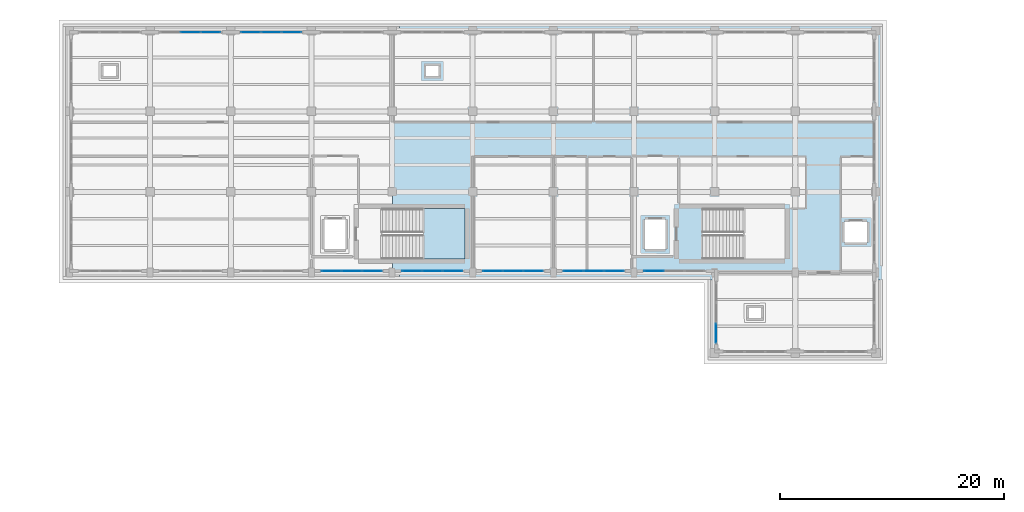
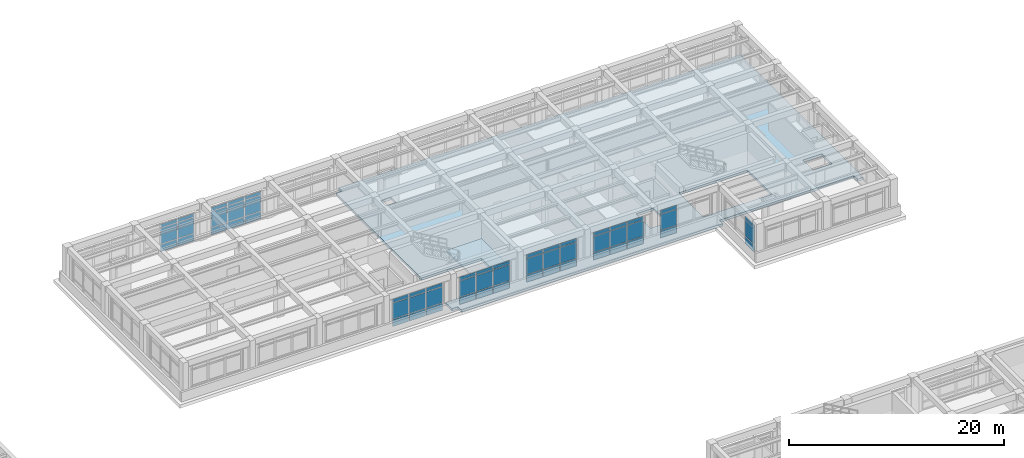
# One storey, part 43 of 67: 57 plates, 2 slabs, 9 elements without a shape of their own.
"""IFC4 building model written with IfcOpenShell, lengths in metres."""

from ifc_helpers import new_model, si_unit, direction, frame, origin, origin_2d, place, context, subcontext, project, spatial, polyline, rectangle, outline, extrude, material, layer, layer_set, type_object, element, aggregate, save


model = new_model("IFC4")

# Units and contexts
model_context = context("Model", 3, precision=1e-05, world=origin(), true_north=direction((0.0, 1.0)))
body_context = subcontext(model_context, "Body", "Model", "MODEL_VIEW")
ifc_project = project(units=[si_unit("LENGTHUNIT", "METRE"), si_unit("AREAUNIT", "SQUARE_METRE"), si_unit("VOLUMEUNIT", "CUBIC_METRE"), si_unit("PLANEANGLEUNIT", "RADIAN"), si_unit("MASSUNIT", "GRAM", prefix="KILO")], contexts=[model_context])

# Site, building, storey
site_placement = place(None, origin())
site = spatial("IfcSite", under=ifc_project, at=site_placement, CompositionType="ELEMENT")
building_placement = place(site_placement, origin())
building = spatial("IfcBuilding", under=site, at=building_placement, Name="Solenvale Faculty of Natural Sciences", CompositionType="ELEMENT")
storey_placement = place(building_placement, frame((0.0, 0.0, 13.5)))
storey = spatial("IfcBuildingStorey", under=building, at=storey_placement, Name="L03", CompositionType="ELEMENT", Elevation=13.5)

# Curtain wall, plates
ifc_material_1 = material(Name="Anodised bronze aluminium", Category="aluminium")
ifc_layer_1 = layer(ifc_material_1, 0.179931640625)
ifc_layer_set_1 = layer_set([ifc_layer_1], Name="Anodised bronze aluminium")
curtain_wall_type = type_object("IfcCurtainWallType", Name="CW-TWR-MOD", PredefinedType="USERDEFINED", material=ifc_layer_set_1)
curtain_wall_1_placement = place(storey_placement, origin())
curtain_wall_1 = element("IfcCurtainWall", 1, at=curtain_wall_1_placement, inside=storey, type_object=curtain_wall_type, Name="L03 Curtain Wall CW-L03-P3-E4-B8", ObjectType="UNITISED CURTAIN WALL", PredefinedType="USERDEFINED")
ifc_material_2 = material(Name="North-light skylight glass", Category="glass")
ifc_layer_2 = layer(ifc_material_2, 0.028076171875)
ifc_layer_set_2 = layer_set([ifc_layer_2], Name="North-light skylight glass")
plate_type_1 = type_object("IfcPlateType", Name="CWP-PNL-28", PredefinedType="CURTAIN_PANEL", material=ifc_layer_set_2)
plate_1_placement = place(storey_placement, frame((99.0146484375, 115.0576171875, 0.074951171875), z_axis=(0.0, 0.0, 1.0), x_axis=(-1.0, 0.0, 0.0)))
plate_1 = element("IfcPlate", 2, at=plate_1_placement, type_object=plate_type_1, Name="CW-04 panel 1.1", PredefinedType="CURTAIN_PANEL", context=body_context, shape_type="SweptSolid", body=[
    extrude(rectangle(XDim=1.720947265625, YDim=0.028076171875, at=origin_2d()), origin(), (0.0, 0.0, 1.0), 0.78759765625),
])
plate_2_placement = place(storey_placement, frame((99.0146484375, 115.0576171875, 0.9375), z_axis=(0.0, 0.0, 1.0), x_axis=(-1.0, 0.0, 0.0)))
plate_2 = element("IfcPlate", 3, at=plate_2_placement, type_object=plate_type_1, Name="CW-04 panel 1.2", PredefinedType="CURTAIN_PANEL", context=body_context, shape_type="SweptSolid", body=[
    extrude(rectangle(XDim=1.720947265625, YDim=0.028076171875, at=origin_2d()), origin(), (0.0, 0.0, 1.0), 1.784912109375),
])
plate_3_placement = place(storey_placement, frame((99.0146484375, 115.0576171875, 2.79736328125), z_axis=(0.0, 0.0, 1.0), x_axis=(-1.0, 0.0, 0.0)))
plate_3 = element("IfcPlate", 4, at=plate_3_placement, type_object=plate_type_1, Name="CW-04 panel 1.3", PredefinedType="CURTAIN_PANEL", context=body_context, shape_type="SweptSolid", body=[
    extrude(rectangle(XDim=1.720947265625, YDim=0.028076171875, at=origin_2d()), origin(), (0.0, 0.0, 1.0), 0.387451171875),
])
plate_4_placement = place(storey_placement, frame((97.199951171875, 115.0576171875, 0.074951171875), z_axis=(0.0, 0.0, 1.0), x_axis=(-1.0, 0.0, 0.0)))
plate_4 = element("IfcPlate", 5, at=plate_4_placement, type_object=plate_type_1, Name="CW-04 panel 2.1", PredefinedType="CURTAIN_PANEL", context=body_context, shape_type="SweptSolid", body=[
    extrude(rectangle(XDim=1.75830078125, YDim=0.028076171875, at=origin_2d()), origin(), (0.0, 0.0, 1.0), 0.78759765625),
])
plate_5_placement = place(storey_placement, frame((97.199951171875, 115.0576171875, 0.9375), z_axis=(0.0, 0.0, 1.0), x_axis=(-1.0, 0.0, 0.0)))
plate_5 = element("IfcPlate", 6, at=plate_5_placement, type_object=plate_type_1, Name="CW-04 panel 2.2", PredefinedType="CURTAIN_PANEL", context=body_context, shape_type="SweptSolid", body=[
    extrude(rectangle(XDim=1.75830078125, YDim=0.028076171875, at=origin_2d()), origin(), (0.0, 0.0, 1.0), 1.784912109375),
])
plate_6_placement = place(storey_placement, frame((97.199951171875, 115.0576171875, 2.79736328125), z_axis=(0.0, 0.0, 1.0), x_axis=(-1.0, 0.0, 0.0)))
plate_6 = element("IfcPlate", 7, at=plate_6_placement, type_object=plate_type_1, Name="CW-04 panel 2.3", PredefinedType="CURTAIN_PANEL", context=body_context, shape_type="SweptSolid", body=[
    extrude(rectangle(XDim=1.75830078125, YDim=0.028076171875, at=origin_2d()), origin(), (0.0, 0.0, 1.0), 0.387451171875),
])
plate_7_placement = place(storey_placement, frame((95.385498046875, 115.0576171875, 0.074951171875), z_axis=(0.0, 0.0, 1.0), x_axis=(-1.0, 0.0, 0.0)))
plate_7 = element("IfcPlate", 8, at=plate_7_placement, type_object=plate_type_1, Name="CW-04 panel 3.1", PredefinedType="CURTAIN_PANEL", context=body_context, shape_type="SweptSolid", body=[
    extrude(rectangle(XDim=1.720947265625, YDim=0.028076171875, at=origin_2d()), origin(), (0.0, 0.0, 1.0), 0.78759765625),
])
plate_8_placement = place(storey_placement, frame((95.385498046875, 115.0576171875, 0.9375), z_axis=(0.0, 0.0, 1.0), x_axis=(-1.0, 0.0, 0.0)))
plate_8 = element("IfcPlate", 9, at=plate_8_placement, type_object=plate_type_1, Name="CW-04 panel 3.2", PredefinedType="CURTAIN_PANEL", context=body_context, shape_type="SweptSolid", body=[
    extrude(rectangle(XDim=1.720947265625, YDim=0.028076171875, at=origin_2d()), origin(), (0.0, 0.0, 1.0), 1.784912109375),
])
plate_9_placement = place(storey_placement, frame((95.385498046875, 115.0576171875, 2.79736328125), z_axis=(0.0, 0.0, 1.0), x_axis=(-1.0, 0.0, 0.0)))
plate_9 = element("IfcPlate", 10, at=plate_9_placement, type_object=plate_type_1, Name="CW-04 panel 3.3", PredefinedType="CURTAIN_PANEL", context=body_context, shape_type="SweptSolid", body=[
    extrude(rectangle(XDim=1.720947265625, YDim=0.028076171875, at=origin_2d()), origin(), (0.0, 0.0, 1.0), 0.387451171875),
])
aggregate(curtain_wall_1, [plate_1, plate_2, plate_3, plate_4, plate_5, plate_6, plate_7, plate_8, plate_9])

curtain_wall_2_placement = place(storey_placement, origin())
curtain_wall_2 = element("IfcCurtainWall", 11, at=curtain_wall_2_placement, inside=storey, type_object=curtain_wall_type, Name="L03 Curtain Wall CW-L03-P3-E6-B6", ObjectType="UNITISED CURTAIN WALL", PredefinedType="USERDEFINED")
plate_10_placement = place(storey_placement, frame((116.9853515625, 93.742431640625, 0.074951171875), z_axis=(0.0, 0.0, 1.0), x_axis=(1.0, 0.0, 0.0)))
plate_10 = element("IfcPlate", 12, at=plate_10_placement, type_object=plate_type_1, Name="CW-04 panel 1.1", PredefinedType="CURTAIN_PANEL", context=body_context, shape_type="SweptSolid", body=[
    extrude(rectangle(XDim=1.720947265625, YDim=0.028076171875, at=origin_2d()), origin(), (0.0, 0.0, 1.0), 0.78759765625),
])
plate_11_placement = place(storey_placement, frame((116.9853515625, 93.742431640625, 0.9375), z_axis=(0.0, 0.0, 1.0), x_axis=(1.0, 0.0, 0.0)))
plate_11 = element("IfcPlate", 13, at=plate_11_placement, type_object=plate_type_1, Name="CW-04 panel 1.2", PredefinedType="CURTAIN_PANEL", context=body_context, shape_type="SweptSolid", body=[
    extrude(rectangle(XDim=1.720947265625, YDim=0.028076171875, at=origin_2d()), origin(), (0.0, 0.0, 1.0), 1.784912109375),
])
plate_12_placement = place(storey_placement, frame((116.9853515625, 93.742431640625, 2.79736328125), z_axis=(0.0, 0.0, 1.0), x_axis=(1.0, 0.0, 0.0)))
plate_12 = element("IfcPlate", 14, at=plate_12_placement, type_object=plate_type_1, Name="CW-04 panel 1.3", PredefinedType="CURTAIN_PANEL", context=body_context, shape_type="SweptSolid", body=[
    extrude(rectangle(XDim=1.720947265625, YDim=0.028076171875, at=origin_2d()), origin(), (0.0, 0.0, 1.0), 0.387451171875),
])
plate_13_placement = place(storey_placement, frame((118.800048828125, 93.742431640625, 0.074951171875), z_axis=(0.0, 0.0, 1.0), x_axis=(1.0, 0.0, 0.0)))
plate_13 = element("IfcPlate", 15, at=plate_13_placement, type_object=plate_type_1, Name="CW-04 panel 2.1", PredefinedType="CURTAIN_PANEL", context=body_context, shape_type="SweptSolid", body=[
    extrude(rectangle(XDim=1.75830078125, YDim=0.028076171875, at=origin_2d()), origin(), (0.0, 0.0, 1.0), 0.78759765625),
])
plate_14_placement = place(storey_placement, frame((118.800048828125, 93.742431640625, 0.9375), z_axis=(0.0, 0.0, 1.0), x_axis=(1.0, 0.0, 0.0)))
plate_14 = element("IfcPlate", 16, at=plate_14_placement, type_object=plate_type_1, Name="CW-04 panel 2.2", PredefinedType="CURTAIN_PANEL", context=body_context, shape_type="SweptSolid", body=[
    extrude(rectangle(XDim=1.75830078125, YDim=0.028076171875, at=origin_2d()), origin(), (0.0, 0.0, 1.0), 1.784912109375),
])
plate_15_placement = place(storey_placement, frame((118.800048828125, 93.742431640625, 2.79736328125), z_axis=(0.0, 0.0, 1.0), x_axis=(1.0, 0.0, 0.0)))
plate_15 = element("IfcPlate", 17, at=plate_15_placement, type_object=plate_type_1, Name="CW-04 panel 2.3", PredefinedType="CURTAIN_PANEL", context=body_context, shape_type="SweptSolid", body=[
    extrude(rectangle(XDim=1.75830078125, YDim=0.028076171875, at=origin_2d()), origin(), (0.0, 0.0, 1.0), 0.387451171875),
])
plate_16_placement = place(storey_placement, frame((120.614501953125, 93.742431640625, 0.074951171875), z_axis=(0.0, 0.0, 1.0), x_axis=(1.0, 0.0, 0.0)))
plate_16 = element("IfcPlate", 18, at=plate_16_placement, type_object=plate_type_1, Name="CW-04 panel 3.1", PredefinedType="CURTAIN_PANEL", context=body_context, shape_type="SweptSolid", body=[
    extrude(rectangle(XDim=1.720947265625, YDim=0.028076171875, at=origin_2d()), origin(), (0.0, 0.0, 1.0), 0.78759765625),
])
plate_17_placement = place(storey_placement, frame((120.614501953125, 93.742431640625, 0.9375), z_axis=(0.0, 0.0, 1.0), x_axis=(1.0, 0.0, 0.0)))
plate_17 = element("IfcPlate", 19, at=plate_17_placement, type_object=plate_type_1, Name="CW-04 panel 3.2", PredefinedType="CURTAIN_PANEL", context=body_context, shape_type="SweptSolid", body=[
    extrude(rectangle(XDim=1.720947265625, YDim=0.028076171875, at=origin_2d()), origin(), (0.0, 0.0, 1.0), 1.784912109375),
])
plate_18_placement = place(storey_placement, frame((120.614501953125, 93.742431640625, 2.79736328125), z_axis=(0.0, 0.0, 1.0), x_axis=(1.0, 0.0, 0.0)))
plate_18 = element("IfcPlate", 20, at=plate_18_placement, type_object=plate_type_1, Name="CW-04 panel 3.3", PredefinedType="CURTAIN_PANEL", context=body_context, shape_type="SweptSolid", body=[
    extrude(rectangle(XDim=1.720947265625, YDim=0.028076171875, at=origin_2d()), origin(), (0.0, 0.0, 1.0), 0.387451171875),
])
aggregate(curtain_wall_2, [plate_10, plate_11, plate_12, plate_13, plate_14, plate_15, plate_16, plate_17, plate_18])

curtain_wall_3_placement = place(storey_placement, origin())
curtain_wall_3 = element("IfcCurtainWall", 21, at=curtain_wall_3_placement, inside=storey, type_object=curtain_wall_type, Name="L03 Curtain Wall CW-L03-P3-E4-B9", ObjectType="UNITISED CURTAIN WALL", PredefinedType="USERDEFINED")
ifc_material_3 = material(Name="Triple low-E insulated glass", Category="glass")
ifc_layer_3 = layer(ifc_material_3, 0.031982421875)
ifc_layer_set_3 = layer_set([ifc_layer_3], Name="Triple low-E insulated glass")
plate_type_2 = type_object("IfcPlateType", Name="CWP-PNL-32", PredefinedType="CURTAIN_PANEL", material=ifc_layer_set_3)
plate_19_placement = place(storey_placement, frame((91.814697265625, 115.0576171875, 0.074951171875), z_axis=(0.0, 0.0, 1.0), x_axis=(-1.0, 0.0, 0.0)))
plate_19 = element("IfcPlate", 22, at=plate_19_placement, type_object=plate_type_2, Name="CW-04 panel 1.1", PredefinedType="CURTAIN_PANEL", context=body_context, shape_type="SweptSolid", body=[
    extrude(rectangle(XDim=1.720947265625, YDim=0.031982421875, at=origin_2d()), origin(), (0.0, 0.0, 1.0), 0.78759765625),
])
plate_20_placement = place(storey_placement, frame((91.814697265625, 115.0576171875, 0.9375), z_axis=(0.0, 0.0, 1.0), x_axis=(-1.0, 0.0, 0.0)))
plate_20 = element("IfcPlate", 23, at=plate_20_placement, type_object=plate_type_2, Name="CW-04 panel 1.2", PredefinedType="CURTAIN_PANEL", context=body_context, shape_type="SweptSolid", body=[
    extrude(rectangle(XDim=1.720947265625, YDim=0.031982421875, at=origin_2d()), origin(), (0.0, 0.0, 1.0), 1.784912109375),
])
plate_21_placement = place(storey_placement, frame((91.814697265625, 115.0576171875, 2.79736328125), z_axis=(0.0, 0.0, 1.0), x_axis=(-1.0, 0.0, 0.0)))
plate_21 = element("IfcPlate", 24, at=plate_21_placement, type_object=plate_type_2, Name="CW-04 panel 1.3", PredefinedType="CURTAIN_PANEL", context=body_context, shape_type="SweptSolid", body=[
    extrude(rectangle(XDim=1.720947265625, YDim=0.031982421875, at=origin_2d()), origin(), (0.0, 0.0, 1.0), 0.387451171875),
])
plate_22_placement = place(storey_placement, frame((90.0, 115.0576171875, 0.074951171875), z_axis=(0.0, 0.0, 1.0), x_axis=(-1.0, 0.0, 0.0)))
plate_22 = element("IfcPlate", 25, at=plate_22_placement, type_object=plate_type_2, Name="CW-04 panel 2.1", PredefinedType="CURTAIN_PANEL", context=body_context, shape_type="SweptSolid", body=[
    extrude(rectangle(XDim=1.75830078125, YDim=0.031982421875, at=origin_2d()), origin(), (0.0, 0.0, 1.0), 0.78759765625),
])
plate_23_placement = place(storey_placement, frame((90.0, 115.0576171875, 0.9375), z_axis=(0.0, 0.0, 1.0), x_axis=(-1.0, 0.0, 0.0)))
plate_23 = element("IfcPlate", 26, at=plate_23_placement, type_object=plate_type_2, Name="CW-04 panel 2.2", PredefinedType="CURTAIN_PANEL", context=body_context, shape_type="SweptSolid", body=[
    extrude(rectangle(XDim=1.75830078125, YDim=0.031982421875, at=origin_2d()), origin(), (0.0, 0.0, 1.0), 1.784912109375),
])
plate_24_placement = place(storey_placement, frame((90.0, 115.0576171875, 2.79736328125), z_axis=(0.0, 0.0, 1.0), x_axis=(-1.0, 0.0, 0.0)))
plate_24 = element("IfcPlate", 27, at=plate_24_placement, type_object=plate_type_2, Name="CW-04 panel 2.3", PredefinedType="CURTAIN_PANEL", context=body_context, shape_type="SweptSolid", body=[
    extrude(rectangle(XDim=1.75830078125, YDim=0.031982421875, at=origin_2d()), origin(), (0.0, 0.0, 1.0), 0.387451171875),
])
aggregate(curtain_wall_3, [plate_19, plate_20, plate_21, plate_22, plate_23, plate_24])

curtain_wall_4_placement = place(storey_placement, origin())
curtain_wall_4 = element("IfcCurtainWall", 28, at=curtain_wall_4_placement, inside=storey, type_object=curtain_wall_type, Name="L03 Curtain Wall CW-L03-P3-E6-B7", ObjectType="UNITISED CURTAIN WALL", PredefinedType="USERDEFINED")
plate_25_placement = place(storey_placement, frame((124.185302734375, 93.742431640625, 0.074951171875), z_axis=(0.0, 0.0, 1.0), x_axis=(1.0, 0.0, 0.0)))
plate_25 = element("IfcPlate", 29, at=plate_25_placement, type_object=plate_type_2, Name="CW-04 panel 1.1", PredefinedType="CURTAIN_PANEL", context=body_context, shape_type="SweptSolid", body=[
    extrude(rectangle(XDim=1.720947265625, YDim=0.031982421875, at=origin_2d()), origin(), (0.0, 0.0, 1.0), 0.78759765625),
])
plate_26_placement = place(storey_placement, frame((124.185302734375, 93.742431640625, 0.9375), z_axis=(0.0, 0.0, 1.0), x_axis=(1.0, 0.0, 0.0)))
plate_26 = element("IfcPlate", 30, at=plate_26_placement, type_object=plate_type_2, Name="CW-04 panel 1.2", PredefinedType="CURTAIN_PANEL", context=body_context, shape_type="SweptSolid", body=[
    extrude(rectangle(XDim=1.720947265625, YDim=0.031982421875, at=origin_2d()), origin(), (0.0, 0.0, 1.0), 1.784912109375),
])
plate_27_placement = place(storey_placement, frame((124.185302734375, 93.742431640625, 2.79736328125), z_axis=(0.0, 0.0, 1.0), x_axis=(1.0, 0.0, 0.0)))
plate_27 = element("IfcPlate", 31, at=plate_27_placement, type_object=plate_type_2, Name="CW-04 panel 1.3", PredefinedType="CURTAIN_PANEL", context=body_context, shape_type="SweptSolid", body=[
    extrude(rectangle(XDim=1.720947265625, YDim=0.031982421875, at=origin_2d()), origin(), (0.0, 0.0, 1.0), 0.387451171875),
])
plate_28_placement = place(storey_placement, frame((126.0, 93.742431640625, 0.074951171875), z_axis=(0.0, 0.0, 1.0), x_axis=(1.0, 0.0, 0.0)))
plate_28 = element("IfcPlate", 32, at=plate_28_placement, type_object=plate_type_2, Name="CW-04 panel 2.1", PredefinedType="CURTAIN_PANEL", context=body_context, shape_type="SweptSolid", body=[
    extrude(rectangle(XDim=1.75830078125, YDim=0.031982421875, at=origin_2d()), origin(), (0.0, 0.0, 1.0), 0.78759765625),
])
plate_29_placement = place(storey_placement, frame((126.0, 93.742431640625, 0.9375), z_axis=(0.0, 0.0, 1.0), x_axis=(1.0, 0.0, 0.0)))
plate_29 = element("IfcPlate", 33, at=plate_29_placement, type_object=plate_type_2, Name="CW-04 panel 2.2", PredefinedType="CURTAIN_PANEL", context=body_context, shape_type="SweptSolid", body=[
    extrude(rectangle(XDim=1.75830078125, YDim=0.031982421875, at=origin_2d()), origin(), (0.0, 0.0, 1.0), 1.784912109375),
])
plate_30_placement = place(storey_placement, frame((126.0, 93.742431640625, 2.79736328125), z_axis=(0.0, 0.0, 1.0), x_axis=(1.0, 0.0, 0.0)))
plate_30 = element("IfcPlate", 34, at=plate_30_placement, type_object=plate_type_2, Name="CW-04 panel 2.3", PredefinedType="CURTAIN_PANEL", context=body_context, shape_type="SweptSolid", body=[
    extrude(rectangle(XDim=1.75830078125, YDim=0.031982421875, at=origin_2d()), origin(), (0.0, 0.0, 1.0), 0.387451171875),
])
plate_31_placement = place(storey_placement, frame((127.814697265625, 93.742431640625, 0.074951171875), z_axis=(0.0, 0.0, 1.0), x_axis=(1.0, 0.0, 0.0)))
plate_31 = element("IfcPlate", 35, at=plate_31_placement, type_object=plate_type_2, Name="CW-04 panel 3.1", PredefinedType="CURTAIN_PANEL", context=body_context, shape_type="SweptSolid", body=[
    extrude(rectangle(XDim=1.720947265625, YDim=0.031982421875, at=origin_2d()), origin(), (0.0, 0.0, 1.0), 0.78759765625),
])
plate_32_placement = place(storey_placement, frame((127.814697265625, 93.742431640625, 0.9375), z_axis=(0.0, 0.0, 1.0), x_axis=(1.0, 0.0, 0.0)))
plate_32 = element("IfcPlate", 36, at=plate_32_placement, type_object=plate_type_2, Name="CW-04 panel 3.2", PredefinedType="CURTAIN_PANEL", context=body_context, shape_type="SweptSolid", body=[
    extrude(rectangle(XDim=1.720947265625, YDim=0.031982421875, at=origin_2d()), origin(), (0.0, 0.0, 1.0), 1.784912109375),
])
plate_33_placement = place(storey_placement, frame((127.814697265625, 93.742431640625, 2.79736328125), z_axis=(0.0, 0.0, 1.0), x_axis=(1.0, 0.0, 0.0)))
plate_33 = element("IfcPlate", 37, at=plate_33_placement, type_object=plate_type_2, Name="CW-04 panel 3.3", PredefinedType="CURTAIN_PANEL", context=body_context, shape_type="SweptSolid", body=[
    extrude(rectangle(XDim=1.720947265625, YDim=0.031982421875, at=origin_2d()), origin(), (0.0, 0.0, 1.0), 0.387451171875),
])
aggregate(curtain_wall_4, [plate_25, plate_26, plate_27, plate_28, plate_29, plate_30, plate_31, plate_32, plate_33])

curtain_wall_5_placement = place(storey_placement, origin())
curtain_wall_5 = element("IfcCurtainWall", 38, at=curtain_wall_5_placement, inside=storey, type_object=curtain_wall_type, Name="L03 Curtain Wall CW-L03-P3-E6-B8", ObjectType="UNITISED CURTAIN WALL", PredefinedType="USERDEFINED")
ifc_layer_4 = layer(ifc_material_3, 0.035888671875)
ifc_layer_set_4 = layer_set([ifc_layer_4], Name="Triple low-E insulated glass")
plate_type_3 = type_object("IfcPlateType", Name="CWP-PNL-36", PredefinedType="CURTAIN_PANEL", material=ifc_layer_set_4)
plate_34_placement = place(storey_placement, frame((131.385498046875, 93.742431640625, 0.074951171875), z_axis=(0.0, 0.0, 1.0), x_axis=(1.0, 0.0, 0.0)))
plate_34 = element("IfcPlate", 39, at=plate_34_placement, type_object=plate_type_3, Name="CW-04 panel 1.1", PredefinedType="CURTAIN_PANEL", context=body_context, shape_type="SweptSolid", body=[
    extrude(rectangle(XDim=1.720947265625, YDim=0.035888671875, at=origin_2d()), origin(), (0.0, 0.0, 1.0), 0.78759765625),
])
plate_35_placement = place(storey_placement, frame((131.385498046875, 93.742431640625, 0.9375), z_axis=(0.0, 0.0, 1.0), x_axis=(1.0, 0.0, 0.0)))
plate_35 = element("IfcPlate", 40, at=plate_35_placement, type_object=plate_type_3, Name="CW-04 panel 1.2", PredefinedType="CURTAIN_PANEL", context=body_context, shape_type="SweptSolid", body=[
    extrude(rectangle(XDim=1.720947265625, YDim=0.035888671875, at=origin_2d()), origin(), (0.0, 0.0, 1.0), 1.784912109375),
])
plate_36_placement = place(storey_placement, frame((131.385498046875, 93.742431640625, 2.79736328125), z_axis=(0.0, 0.0, 1.0), x_axis=(1.0, 0.0, 0.0)))
plate_36 = element("IfcPlate", 41, at=plate_36_placement, type_object=plate_type_3, Name="CW-04 panel 1.3", PredefinedType="CURTAIN_PANEL", context=body_context, shape_type="SweptSolid", body=[
    extrude(rectangle(XDim=1.720947265625, YDim=0.035888671875, at=origin_2d()), origin(), (0.0, 0.0, 1.0), 0.387451171875),
])
aggregate(curtain_wall_5, [plate_34, plate_35, plate_36])

curtain_wall_6_placement = place(storey_placement, origin())
curtain_wall_6 = element("IfcCurtainWall", 42, at=curtain_wall_6_placement, inside=storey, type_object=curtain_wall_type, Name="L03 Curtain Wall CW-L03-P3-E7-B1", ObjectType="UNITISED CURTAIN WALL", PredefinedType="USERDEFINED")
ifc_layer_5 = layer(ifc_material_3, 0.0439453125)
ifc_layer_set_5 = layer_set([ifc_layer_5], Name="Triple low-E insulated glass")
plate_type_4 = type_object("IfcPlateType", Name="CWP-PNL-44", PredefinedType="CURTAIN_PANEL", material=ifc_layer_set_5)
plate_37_placement = place(storey_placement, frame((136.9423828125, 88.185302734375, 0.074951171875), z_axis=(0.0, 0.0, 1.0), x_axis=(0.0, -1.0, 0.0)))
plate_37 = element("IfcPlate", 43, at=plate_37_placement, type_object=plate_type_4, Name="CW-04 panel 3.1", PredefinedType="CURTAIN_PANEL", context=body_context, shape_type="SweptSolid", body=[
    extrude(rectangle(XDim=1.720947265625, YDim=0.0439453125, at=origin_2d()), origin(), (0.0, 0.0, 1.0), 0.78759765625),
])
plate_38_placement = place(storey_placement, frame((136.9423828125, 88.185302734375, 0.9375), z_axis=(0.0, 0.0, 1.0), x_axis=(0.0, -1.0, 0.0)))
plate_38 = element("IfcPlate", 44, at=plate_38_placement, type_object=plate_type_4, Name="CW-04 panel 3.2", PredefinedType="CURTAIN_PANEL", context=body_context, shape_type="SweptSolid", body=[
    extrude(rectangle(XDim=1.720947265625, YDim=0.0439453125, at=origin_2d()), origin(), (0.0, 0.0, 1.0), 1.784912109375),
])
plate_39_placement = place(storey_placement, frame((136.9423828125, 88.185302734375, 2.79736328125), z_axis=(0.0, 0.0, 1.0), x_axis=(0.0, -1.0, 0.0)))
plate_39 = element("IfcPlate", 45, at=plate_39_placement, type_object=plate_type_4, Name="CW-04 panel 3.3", PredefinedType="CURTAIN_PANEL", context=body_context, shape_type="SweptSolid", body=[
    extrude(rectangle(XDim=1.720947265625, YDim=0.0439453125, at=origin_2d()), origin(), (0.0, 0.0, 1.0), 0.387451171875),
])
aggregate(curtain_wall_6, [plate_37, plate_38, plate_39])

curtain_wall_7_placement = place(storey_placement, origin())
curtain_wall_7 = element("IfcCurtainWall", 46, at=curtain_wall_7_placement, inside=storey, type_object=curtain_wall_type, Name="L03 Curtain Wall CW-L03-P3-E6-B4", ObjectType="UNITISED CURTAIN WALL", PredefinedType="USERDEFINED")
ifc_layer_6 = layer(ifc_material_1, 0.053955078125)
ifc_layer_set_6 = layer_set([ifc_layer_6], Name="Anodised bronze aluminium")
plate_type_5 = type_object("IfcPlateType", Name="CWP-PNL-54", PredefinedType="CURTAIN_PANEL", material=ifc_layer_set_6)
plate_40_placement = place(storey_placement, frame((102.58544921875, 93.742431640625, 0.074951171875), z_axis=(0.0, 0.0, 1.0), x_axis=(1.0, 0.0, 0.0)))
plate_40 = element("IfcPlate", 47, at=plate_40_placement, type_object=plate_type_5, Name="CW-04 panel 1.1", PredefinedType="CURTAIN_PANEL", context=body_context, shape_type="SweptSolid", body=[
    extrude(rectangle(XDim=1.720947265625, YDim=0.053955078125, at=origin_2d()), origin(), (0.0, 0.0, 1.0), 0.78759765625),
])
plate_41_placement = place(storey_placement, frame((102.58544921875, 93.742431640625, 0.9375), z_axis=(0.0, 0.0, 1.0), x_axis=(1.0, 0.0, 0.0)))
plate_41 = element("IfcPlate", 48, at=plate_41_placement, type_object=plate_type_5, Name="CW-04 panel 1.2", PredefinedType="CURTAIN_PANEL", context=body_context, shape_type="SweptSolid", body=[
    extrude(rectangle(XDim=1.720947265625, YDim=0.053955078125, at=origin_2d()), origin(), (0.0, 0.0, 1.0), 1.784912109375),
])
plate_42_placement = place(storey_placement, frame((102.58544921875, 93.742431640625, 2.79736328125), z_axis=(0.0, 0.0, 1.0), x_axis=(1.0, 0.0, 0.0)))
plate_42 = element("IfcPlate", 49, at=plate_42_placement, type_object=plate_type_5, Name="CW-04 panel 1.3", PredefinedType="CURTAIN_PANEL", context=body_context, shape_type="SweptSolid", body=[
    extrude(rectangle(XDim=1.720947265625, YDim=0.053955078125, at=origin_2d()), origin(), (0.0, 0.0, 1.0), 0.387451171875),
])
plate_43_placement = place(storey_placement, frame((104.39990234375, 93.742431640625, 0.074951171875), z_axis=(0.0, 0.0, 1.0), x_axis=(1.0, 0.0, 0.0)))
plate_43 = element("IfcPlate", 50, at=plate_43_placement, type_object=plate_type_5, Name="CW-04 panel 2.1", PredefinedType="CURTAIN_PANEL", context=body_context, shape_type="SweptSolid", body=[
    extrude(rectangle(XDim=1.75830078125, YDim=0.053955078125, at=origin_2d()), origin(), (0.0, 0.0, 1.0), 0.78759765625),
])
plate_44_placement = place(storey_placement, frame((104.39990234375, 93.742431640625, 0.9375), z_axis=(0.0, 0.0, 1.0), x_axis=(1.0, 0.0, 0.0)))
plate_44 = element("IfcPlate", 51, at=plate_44_placement, type_object=plate_type_5, Name="CW-04 panel 2.2", PredefinedType="CURTAIN_PANEL", context=body_context, shape_type="SweptSolid", body=[
    extrude(rectangle(XDim=1.75830078125, YDim=0.053955078125, at=origin_2d()), origin(), (0.0, 0.0, 1.0), 1.784912109375),
])
plate_45_placement = place(storey_placement, frame((104.39990234375, 93.742431640625, 2.79736328125), z_axis=(0.0, 0.0, 1.0), x_axis=(1.0, 0.0, 0.0)))
plate_45 = element("IfcPlate", 52, at=plate_45_placement, type_object=plate_type_5, Name="CW-04 panel 2.3", PredefinedType="CURTAIN_PANEL", context=body_context, shape_type="SweptSolid", body=[
    extrude(rectangle(XDim=1.75830078125, YDim=0.053955078125, at=origin_2d()), origin(), (0.0, 0.0, 1.0), 0.387451171875),
])
plate_46_placement = place(storey_placement, frame((106.214599609375, 93.742431640625, 0.074951171875), z_axis=(0.0, 0.0, 1.0), x_axis=(1.0, 0.0, 0.0)))
plate_46 = element("IfcPlate", 53, at=plate_46_placement, type_object=plate_type_5, Name="CW-04 panel 3.1", PredefinedType="CURTAIN_PANEL", context=body_context, shape_type="SweptSolid", body=[
    extrude(rectangle(XDim=1.720947265625, YDim=0.053955078125, at=origin_2d()), origin(), (0.0, 0.0, 1.0), 0.78759765625),
])
plate_47_placement = place(storey_placement, frame((106.214599609375, 93.742431640625, 0.9375), z_axis=(0.0, 0.0, 1.0), x_axis=(1.0, 0.0, 0.0)))
plate_47 = element("IfcPlate", 54, at=plate_47_placement, type_object=plate_type_5, Name="CW-04 panel 3.2", PredefinedType="CURTAIN_PANEL", context=body_context, shape_type="SweptSolid", body=[
    extrude(rectangle(XDim=1.720947265625, YDim=0.053955078125, at=origin_2d()), origin(), (0.0, 0.0, 1.0), 1.784912109375),
])
plate_48_placement = place(storey_placement, frame((106.214599609375, 93.742431640625, 2.79736328125), z_axis=(0.0, 0.0, 1.0), x_axis=(1.0, 0.0, 0.0)))
plate_48 = element("IfcPlate", 55, at=plate_48_placement, type_object=plate_type_5, Name="CW-04 panel 3.3", PredefinedType="CURTAIN_PANEL", context=body_context, shape_type="SweptSolid", body=[
    extrude(rectangle(XDim=1.720947265625, YDim=0.053955078125, at=origin_2d()), origin(), (0.0, 0.0, 1.0), 0.387451171875),
])
aggregate(curtain_wall_7, [plate_40, plate_41, plate_42, plate_43, plate_44, plate_45, plate_46, plate_47, plate_48])

curtain_wall_8_placement = place(storey_placement, origin())
curtain_wall_8 = element("IfcCurtainWall", 56, at=curtain_wall_8_placement, inside=storey, type_object=curtain_wall_type, Name="L03 Curtain Wall CW-L03-P3-E6-B5", ObjectType="UNITISED CURTAIN WALL", PredefinedType="USERDEFINED")
ifc_layer_7 = layer(ifc_material_1, 0.06005859375)
ifc_layer_set_7 = layer_set([ifc_layer_7], Name="Anodised bronze aluminium")
plate_type_6 = type_object("IfcPlateType", Name="CWP-PNL-60", PredefinedType="CURTAIN_PANEL", material=ifc_layer_set_7)
plate_49_placement = place(storey_placement, frame((109.785400390625, 93.742431640625, 0.074951171875), z_axis=(0.0, 0.0, 1.0), x_axis=(1.0, 0.0, 0.0)))
plate_49 = element("IfcPlate", 57, at=plate_49_placement, type_object=plate_type_6, Name="CW-04 panel 1.1", PredefinedType="CURTAIN_PANEL", context=body_context, shape_type="SweptSolid", body=[
    extrude(rectangle(XDim=1.720947265625, YDim=0.06005859375, at=origin_2d()), origin(), (0.0, 0.0, 1.0), 0.78759765625),
])
plate_50_placement = place(storey_placement, frame((109.785400390625, 93.742431640625, 0.9375), z_axis=(0.0, 0.0, 1.0), x_axis=(1.0, 0.0, 0.0)))
plate_50 = element("IfcPlate", 58, at=plate_50_placement, type_object=plate_type_6, Name="CW-04 panel 1.2", PredefinedType="CURTAIN_PANEL", context=body_context, shape_type="SweptSolid", body=[
    extrude(rectangle(XDim=1.720947265625, YDim=0.06005859375, at=origin_2d()), origin(), (0.0, 0.0, 1.0), 1.784912109375),
])
plate_51_placement = place(storey_placement, frame((109.785400390625, 93.742431640625, 2.79736328125), z_axis=(0.0, 0.0, 1.0), x_axis=(1.0, 0.0, 0.0)))
plate_51 = element("IfcPlate", 59, at=plate_51_placement, type_object=plate_type_6, Name="CW-04 panel 1.3", PredefinedType="CURTAIN_PANEL", context=body_context, shape_type="SweptSolid", body=[
    extrude(rectangle(XDim=1.720947265625, YDim=0.06005859375, at=origin_2d()), origin(), (0.0, 0.0, 1.0), 0.387451171875),
])
plate_52_placement = place(storey_placement, frame((111.60009765625, 93.742431640625, 0.074951171875), z_axis=(0.0, 0.0, 1.0), x_axis=(1.0, 0.0, 0.0)))
plate_52 = element("IfcPlate", 60, at=plate_52_placement, type_object=plate_type_6, Name="CW-04 panel 2.1", PredefinedType="CURTAIN_PANEL", context=body_context, shape_type="SweptSolid", body=[
    extrude(rectangle(XDim=1.75830078125, YDim=0.06005859375, at=origin_2d()), origin(), (0.0, 0.0, 1.0), 0.78759765625),
])
plate_53_placement = place(storey_placement, frame((111.60009765625, 93.742431640625, 0.9375), z_axis=(0.0, 0.0, 1.0), x_axis=(1.0, 0.0, 0.0)))
plate_53 = element("IfcPlate", 61, at=plate_53_placement, type_object=plate_type_6, Name="CW-04 panel 2.2", PredefinedType="CURTAIN_PANEL", context=body_context, shape_type="SweptSolid", body=[
    extrude(rectangle(XDim=1.75830078125, YDim=0.06005859375, at=origin_2d()), origin(), (0.0, 0.0, 1.0), 1.784912109375),
])
plate_54_placement = place(storey_placement, frame((111.60009765625, 93.742431640625, 2.79736328125), z_axis=(0.0, 0.0, 1.0), x_axis=(1.0, 0.0, 0.0)))
plate_54 = element("IfcPlate", 62, at=plate_54_placement, type_object=plate_type_6, Name="CW-04 panel 2.3", PredefinedType="CURTAIN_PANEL", context=body_context, shape_type="SweptSolid", body=[
    extrude(rectangle(XDim=1.75830078125, YDim=0.06005859375, at=origin_2d()), origin(), (0.0, 0.0, 1.0), 0.387451171875),
])
plate_55_placement = place(storey_placement, frame((113.41455078125, 93.742431640625, 0.074951171875), z_axis=(0.0, 0.0, 1.0), x_axis=(1.0, 0.0, 0.0)))
plate_55 = element("IfcPlate", 63, at=plate_55_placement, type_object=plate_type_6, Name="CW-04 panel 3.1", PredefinedType="CURTAIN_PANEL", context=body_context, shape_type="SweptSolid", body=[
    extrude(rectangle(XDim=1.720947265625, YDim=0.06005859375, at=origin_2d()), origin(), (0.0, 0.0, 1.0), 0.78759765625),
])
plate_56_placement = place(storey_placement, frame((113.41455078125, 93.742431640625, 0.9375), z_axis=(0.0, 0.0, 1.0), x_axis=(1.0, 0.0, 0.0)))
plate_56 = element("IfcPlate", 64, at=plate_56_placement, type_object=plate_type_6, Name="CW-04 panel 3.2", PredefinedType="CURTAIN_PANEL", context=body_context, shape_type="SweptSolid", body=[
    extrude(rectangle(XDim=1.720947265625, YDim=0.06005859375, at=origin_2d()), origin(), (0.0, 0.0, 1.0), 1.784912109375),
])
plate_57_placement = place(storey_placement, frame((113.41455078125, 93.742431640625, 2.79736328125), z_axis=(0.0, 0.0, 1.0), x_axis=(1.0, 0.0, 0.0)))
plate_57 = element("IfcPlate", 65, at=plate_57_placement, type_object=plate_type_6, Name="CW-04 panel 3.3", PredefinedType="CURTAIN_PANEL", context=body_context, shape_type="SweptSolid", body=[
    extrude(rectangle(XDim=1.720947265625, YDim=0.06005859375, at=origin_2d()), origin(), (0.0, 0.0, 1.0), 0.387451171875),
])
aggregate(curtain_wall_8, [plate_49, plate_50, plate_51, plate_52, plate_53, plate_54, plate_55, plate_56, plate_57])

# Slab
ifc_material_4 = material(Name="Concrete 40 MPa", Category="concrete")
ifc_layer_8 = layer(ifc_material_4, 0.280029296875)
ifc_layer_set_8 = layer_set([ifc_layer_8], Name="Concrete 40 MPa")
slab_type_1 = type_object("IfcSlabType", Name="SL-FLR-280", PredefinedType="FLOOR", material=ifc_layer_set_8)
slab_1_placement = place(storey_placement, frame((0.0, 0.0, -0.280029296875)))
element("IfcSlab", 66, at=slab_1_placement, inside=storey, type_object=slab_type_1, Name="L03 V5 Floor Slab 2.1", PredefinedType="FLOOR", context=body_context, shape_type="SweptSolid", body=[
    extrude(outline(polyline([(108.054931640625, 93.580078125), (108.037353515625, 93.58740234375), (108.030029296875, 93.60498046875), (108.030029296875, 94.77490234375), (108.03564453125, 94.791015625), (108.050048828125, 94.799560546875), (114.5, 94.800537109375), (114.5, 99.300048828125), (108.054931640625, 99.300048828125), (108.031005859375, 99.317626953125), (108.030029296875, 115.195068359375), (108.037353515625, 115.212646484375), (108.054931640625, 115.219970703125), (108.679931640625, 115.219970703125), (108.679931640625, 115.85498046875), (108.693115234375, 115.876953125), (151.85498046875, 115.8798828125), (151.876953125, 115.86669921875), (151.8798828125, 92.945068359375), (151.86669921875, 92.923095703125), (151.2451171875, 92.919921875), (151.227294921875, 92.92724609375), (151.219970703125, 92.945068359375), (151.219970703125, 93.55029296875), (151.214599609375, 93.563720703125), (151.2001953125, 93.570068359375), (136.80029296875, 93.570068359375), (136.786376953125, 93.564697265625), (136.780029296875, 93.55029296875), (136.77978515625, 92.9423828125), (136.77099609375, 92.92578125), (136.7548828125, 92.919921875), (108.705078125, 92.919921875), (108.687255859375, 92.92724609375), (108.679931640625, 92.945068359375), (108.679931640625, 93.580078125), (108.054931640625, 93.580078125)]), holes=[polyline([(148.385009765625, 96.260009765625), (150.4150390625, 96.260009765625), (150.4150390625, 98.139892578125), (148.385009765625, 98.139892578125), (148.385009765625, 96.260009765625)]), polyline([(135.739990234375, 94.800048828125), (143.10009765625, 94.800048828125), (143.10009765625, 99.300048828125), (135.739990234375, 99.300048828125), (135.739990234375, 94.800048828125)]), polyline([(130.56005859375, 95.659912109375), (132.43994140625, 95.659912109375), (132.43994140625, 98.340087890625), (130.56005859375, 98.340087890625), (130.56005859375, 95.659912109375)]), polyline([(111.050048828125, 111.14990234375), (112.14990234375, 111.14990234375), (112.14990234375, 112.050048828125), (111.050048828125, 112.050048828125), (111.050048828125, 111.14990234375)])]), origin(), (0.0, 0.0, 1.0), 0.280029296875),
])

# Stair, slab
stair_type = type_object("IfcStairType", Name="STR-CORE-25R", PredefinedType="DOUBLE_RETURN_STAIR", material=ifc_material_4)
stair_placement = place(storey_placement, origin())
stair = element("IfcStair", 67, at=stair_placement, inside=storey, type_object=stair_type, Name="L03 Protected Exit Stair ST-04", PredefinedType="DOUBLE_RETURN_STAIR")
ifc_layer_9 = layer(ifc_material_4, 0.195068359375)
ifc_layer_set_9 = layer_set([ifc_layer_9], Name="Concrete 40 MPa")
slab_type_2 = type_object("IfcSlabType", Name="SL-LND-195", PredefinedType="LANDING", material=ifc_layer_set_9)
slab_2_placement = place(storey_placement, frame((0.0, 0.0, 2.050048828125)))
slab_2 = element("IfcSlab", 68, at=slab_2_placement, type_object=slab_type_2, Name="ST-04 landing 1", PredefinedType="LANDING", context=body_context, shape_type="SweptSolid", body=[
    extrude(outline(polyline([(110.739990234375, 94.800048828125), (114.5, 94.800048828125), (114.5, 99.300048828125), (110.739990234375, 99.300048828125), (110.739990234375, 94.800048828125)])), origin(), (0.0, 0.0, 1.0), 0.199951171875),
])
aggregate(stair, [slab_2])

save(model, "model.ifc")
